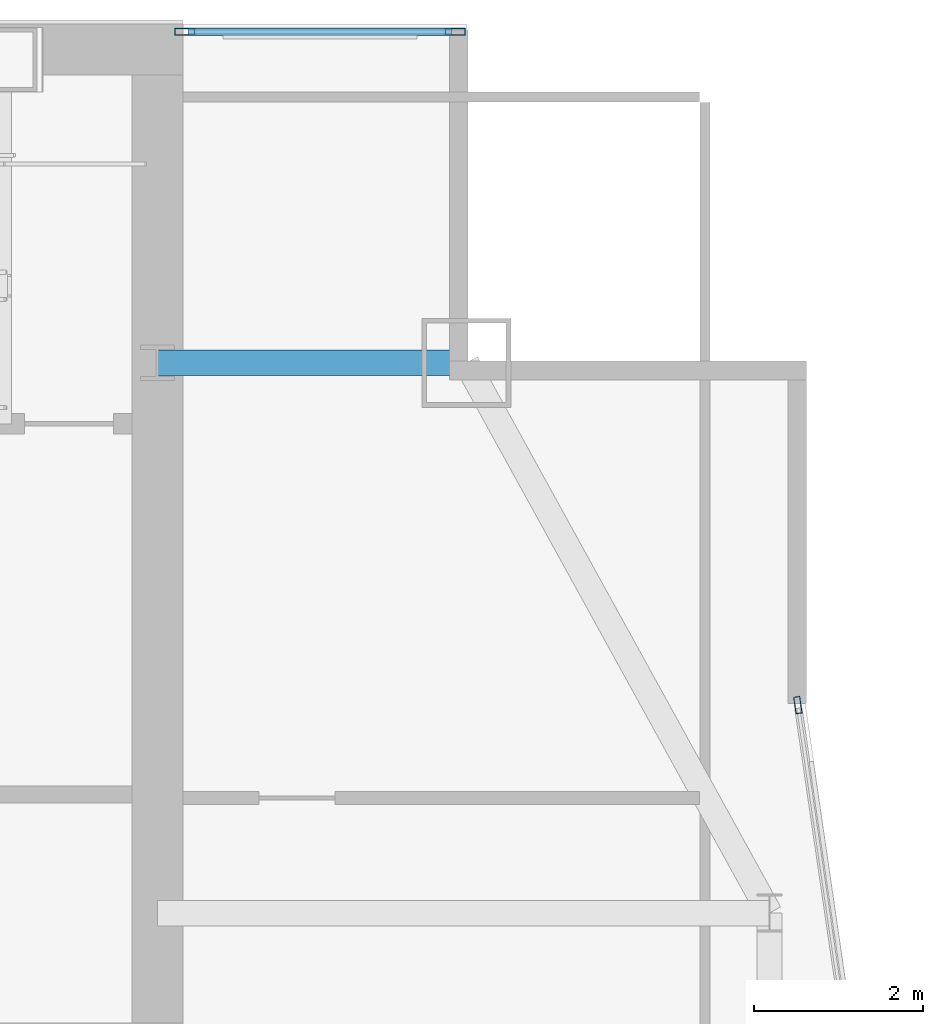
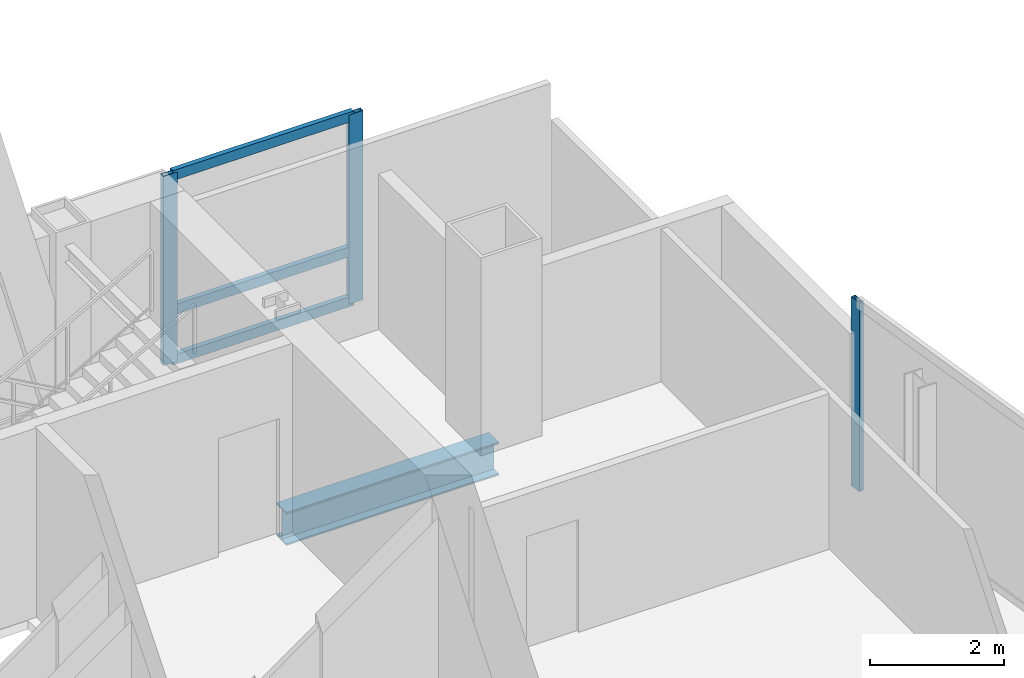
# One storey, part 24 of 31: 6 members, 1 beam, 2 elements without a shape of their own.
"""IFC4 building model written with IfcOpenShell, lengths in metres."""

import ifcopenshell
import ifcopenshell.guid

model = None  # the IFC model being written
_history = None  # IfcOwnerHistory: only IFC2X3 demands one
_inside = {}  # id of a spatial element -> (the spatial element, [elements in it])
_under = {}  # id of a project, library or spatial element -> (it, [spatial elements below it])
_declared = {}  # id of a project -> (the project, [libraries it declares])
_typed = {}  # id of a type object -> (the type object, [elements of that type])
_made_of = {}  # id of a material, layer set ... -> (it, [elements and type objects made of it])


def new_model(schema):
    """Start an empty IFC model of exactly this schema.

    Asked for "IFC4X3", IfcOpenShell would pick the latest addendum, in which some entities
    have other attributes; the version numbers below select the first issue.
    IFC2X3 requires an IfcOwnerHistory on every rooted entity: one is made here for all.
    """
    global model, _history
    if schema == "IFC4X3":
        model = ifcopenshell.file(schema_version=(4, 3, 0, 0))
    else:
        model = ifcopenshell.file(schema=schema)
    _inside.clear()
    _under.clear()
    _declared.clear()
    _typed.clear()
    _made_of.clear()
    _history = None
    if model.schema == "IFC2X3":
        org = make("IfcOrganization", Name="unknown")
        user = make(
            "IfcPersonAndOrganization",
            ThePerson=make("IfcPerson", FamilyName="unknown"),
            TheOrganization=org,
        )
        app = make(
            "IfcApplication",
            ApplicationDeveloper=org,
            Version="unknown",
            ApplicationFullName="unknown",
            ApplicationIdentifier="unknown",
        )
        _history = make(
            "IfcOwnerHistory",
            OwningUser=user,
            OwningApplication=app,
            ChangeAction="ADDED",
            CreationDate=0,
        )
    return model


def make(cls, **values):
    """One entity of the class cls with the attributes given. An attribute that is None is left unset."""
    return model.create_entity(
        cls, **{name: value for name, value in values.items() if value is not None}
    )


def rooted(cls, **values):
    """An entity with a GlobalId (a new one), such as an element, a storey or a relation."""
    return make(cls, GlobalId=ifcopenshell.guid.new(), OwnerHistory=_history, **values)


def si_unit(unit_type, name, prefix=None):
    """IfcSIUnit, for example si_unit("LENGTHUNIT", "METRE", prefix="MILLI")."""
    return make("IfcSIUnit", UnitType=unit_type, Prefix=prefix, Name=name)


def assignment(units):
    """IfcUnitAssignment: the units of a project."""
    return None if units is None else make("IfcUnitAssignment", Units=units)


def point(xyz):
    """IfcCartesianPoint."""
    return None if xyz is None else make("IfcCartesianPoint", Coordinates=xyz)


def direction(xyz):
    """IfcDirection."""
    return None if xyz is None else make("IfcDirection", DirectionRatios=xyz)


def frame(location, z_axis=None, x_axis=None):
    """IfcAxis2Placement3D, a coordinate frame: its origin and axes. An axis left out is left unset."""
    return make(
        "IfcAxis2Placement3D",
        Location=point(location),
        Axis=direction(z_axis),
        RefDirection=direction(x_axis),
    )


def frame_2d(location, x_axis=None):
    """IfcAxis2Placement2D, a coordinate frame in the plane: its origin and x axis."""
    return make(
        "IfcAxis2Placement2D", Location=point(location), RefDirection=direction(x_axis)
    )


def origin():
    """The frame at (0, 0, 0) with its axes left unset."""
    return frame((0.0, 0.0, 0.0))


def origin_2d():
    """The frame at (0, 0) in the plane with its x axis left unset."""
    return frame_2d((0.0, 0.0))


def place(relative_to, where):
    """IfcLocalPlacement: puts the frame where relative to a parent placement (None: the world)."""
    return make(
        "IfcLocalPlacement", PlacementRelTo=relative_to, RelativePlacement=where
    )


def context(
    kind, dimensions, precision=None, world=None, true_north=None, identifier=None
):
    """IfcGeometricRepresentationContext, for example the 3D "Model" context."""
    return make(
        "IfcGeometricRepresentationContext",
        ContextIdentifier=identifier,
        ContextType=kind,
        CoordinateSpaceDimension=dimensions,
        Precision=precision,
        WorldCoordinateSystem=world,
        TrueNorth=true_north,
    )


def subcontext(parent, identifier, kind, view, scale=None):
    """IfcGeometricRepresentationSubContext, for example "Body" below "Model"."""
    return make(
        "IfcGeometricRepresentationSubContext",
        ContextIdentifier=identifier,
        ContextType=kind,
        ParentContext=parent,
        TargetScale=scale,
        TargetView=view,
    )


def project(units=None, contexts=None):
    """IfcProject with its units and contexts."""
    return rooted(
        "IfcProject",
        Name="project",
        RepresentationContexts=contexts,
        UnitsInContext=assignment(units),
    )


def spatial(cls, under=None, at=None, **own):
    """A site, building, storey or space (cls), placed at a placement, below another one or the project."""
    s = rooted(cls, ObjectPlacement=at, **own)
    if under is not None:
        _under.setdefault(under.id(), (under, []))[1].append(s)
    return s


def profile(cls, at=None, kind="AREA", **sizes):
    """A parametric profile (cls). Its sizes go by their IFC names, for example OverallWidth=200.0."""
    return make(cls, ProfileType=kind, Position=at, **sizes)


def hollow_rectangle(**sizes):
    """IfcRectangleHollowProfileDef."""
    return profile("IfcRectangleHollowProfileDef", **sizes)


def i_section(**sizes):
    """IfcIShapeProfileDef."""
    return profile("IfcIShapeProfileDef", **sizes)


def extrude(swept, where, along, depth):
    """IfcExtrudedAreaSolid: the profile swept, set in the frame where, extruded along a direction by depth."""
    return make(
        "IfcExtrudedAreaSolid",
        SweptArea=swept,
        Position=where,
        ExtrudedDirection=direction(along),
        Depth=depth,
    )


def shape(context_of_items, identifier, shape_type, items):
    """IfcShapeRepresentation: the items that make up one representation, for example the "Body"."""
    return make(
        "IfcShapeRepresentation",
        ContextOfItems=context_of_items,
        RepresentationIdentifier=identifier,
        RepresentationType=shape_type,
        Items=items,
    )


def material(Name=None, Category=None):
    """IfcMaterial."""
    return make("IfcMaterial", Name=Name, Category=Category)


def material_profile(
    of_material, cross_section, Name=None, Category=None, Priority=None
):
    """IfcMaterialProfile: a cross section and its material."""
    return make(
        "IfcMaterialProfile",
        Name=Name,
        Material=of_material,
        Profile=cross_section,
        Priority=Priority,
        Category=Category,
    )


def profile_set(profiles, Name=None, composite=None):
    """IfcMaterialProfileSet."""
    return make(
        "IfcMaterialProfileSet",
        Name=Name,
        MaterialProfiles=profiles,
        CompositeProfile=composite,
    )


def made_of(thing, what):
    """Note that an element or type object is made of a material, layer set ...; save() writes the relation."""
    if what is not None:
        _made_of.setdefault(what.id(), (what, []))[1].append(thing)
    return thing


def type_object(cls, material=None, **own):
    """A type object (cls), such as IfcWallType, which elements share."""
    return made_of(rooted(cls, **own), material)


def element(
    cls,
    number,
    at=None,
    inside=None,
    cuts=None,
    type_object=None,
    material=None,
    context=None,
    identifier="Body",
    shape_type=None,
    held_by="IfcProductDefinitionShape",
    body=None,
    shapes=None,
    **own,
):
    """One element of the class cls, such as IfcWall. Its Tag is "e" and its number.

    at: its placement. inside: the storey or other place that contains it. cuts: it is an
    opening in that element (IfcRelVoidsElement). A single representation is given by context,
    identifier, shape_type and body (its items); several are given by shapes. held_by: the class
    of the entity that holds the representations. save() writes the other relations.
    """
    e = rooted(cls, Tag="e%d" % number, ObjectPlacement=at, **own)
    if body is not None:
        shapes = [shape(context, identifier, shape_type, body)]
    if shapes is not None:
        e.Representation = make(held_by, Representations=shapes)
    if inside is not None:
        _inside.setdefault(inside.id(), (inside, []))[1].append(e)
    if cuts is not None:
        rooted(
            "IfcRelVoidsElement", RelatingBuildingElement=cuts, RelatedOpeningElement=e
        )
    if type_object is not None:
        _typed.setdefault(type_object.id(), (type_object, []))[1].append(e)
    return made_of(e, material)


def aggregate(whole, parts):
    """IfcRelAggregates: a whole, such as a stair, and the parts it consists of."""
    return rooted("IfcRelAggregates", RelatingObject=whole, RelatedObjects=parts)


def save(model, path):
    """Write the relations noted so far, then the file.

    IfcRelAggregates (storeys below a building ...), IfcRelContainedInSpatialStructure (elements
    in a storey), IfcRelDefinesByType, IfcRelAssociatesMaterial and IfcRelDeclares: one each for
    every whole, place, type object, material and project.
    """
    for whole, parts in _under.values():
        aggregate(whole, parts)
    for where, things in _inside.values():
        rooted(
            "IfcRelContainedInSpatialStructure",
            RelatedElements=things,
            RelatingStructure=where,
        )
    for kind, things in _typed.values():
        rooted("IfcRelDefinesByType", RelatedObjects=things, RelatingType=kind)
    for what, things in _made_of.values():
        rooted("IfcRelAssociatesMaterial", RelatedObjects=things, RelatingMaterial=what)
    for by, libraries in _declared.values():
        rooted("IfcRelDeclares", RelatingContext=by, RelatedDefinitions=libraries)
    model.write(path)


model = new_model("IFC4")

# Units and contexts
model_context = context("Model", 3, precision=1e-05, world=origin(), true_north=direction((0.0, 1.0)))
body_context = subcontext(model_context, "Body", "Model", "MODEL_VIEW")
ifc_project = project(units=[si_unit("LENGTHUNIT", "METRE"), si_unit("AREAUNIT", "SQUARE_METRE"), si_unit("VOLUMEUNIT", "CUBIC_METRE"), si_unit("PLANEANGLEUNIT", "RADIAN"), si_unit("MASSUNIT", "GRAM", prefix="KILO")], contexts=[model_context])

# Site, building, storey
site_placement = place(None, origin())
site = spatial("IfcSite", under=ifc_project, at=site_placement, CompositionType="ELEMENT")
building_placement = place(site_placement, origin())
building = spatial("IfcBuilding", under=site, at=building_placement, Name="Khoronbel Lancet Exchange", CompositionType="ELEMENT")
storey_placement = place(building_placement, frame((0.0, 0.0, 249.800048828125)))
storey = spatial("IfcBuildingStorey", under=building, at=storey_placement, Name="L64", CompositionType="ELEMENT", Elevation=249.800048828125)

# Beam
ifc_material_1 = material(Name="Steel S355", Category="steel")
ifc_material_profile_1 = material_profile(ifc_material_1, i_section(OverallWidth=0.300048828125, OverallDepth=0.60009765625, WebThickness=0.015380859375, FlangeThickness=0.030029296875, at=origin_2d()), Name="HEB 600")
ifc_profile_set_1 = profile_set([ifc_material_profile_1], Name="Steel S355")
beam_type = type_object("IfcBeamType", Name="BM-BSP2", PredefinedType="SPANDREL", material=ifc_profile_set_1)
beam_placement = place(storey_placement, frame((60.050048828125, 49.699951171875, -0.4599609375), z_axis=(-1.0, 0.0, 0.0), x_axis=(0.0, -1.0, 0.0)))
element("IfcBeam", 1, at=beam_placement, inside=storey, type_object=beam_type, Name="Level L64 north flank tie spandrel SP23", PredefinedType="SPANDREL", context=body_context, shape_type="SweptSolid", body=[
    extrude(i_section(OverallWidth=0.300048828125, OverallDepth=0.60009765625, WebThickness=0.015380859375, FlangeThickness=0.030029296875, at=origin_2d()), origin(), (0.0, 0.0, 1.0), 3.650146484375),
])

# Curtain wall, members
ifc_material_2 = material(Name="Low-E Solar Control Insulating Glass", Category="glass")
curtain_wall_type_1 = type_object("IfcCurtainWallType", Name="CW-3", PredefinedType="NOTDEFINED", material=ifc_material_2)
curtain_wall_1_placement = place(storey_placement, origin())
curtain_wall_1 = element("IfcCurtainWall", 2, at=curtain_wall_1_placement, inside=storey, type_object=curtain_wall_type_1, Name="Unitised curtain wall CW-L64-NEFLK", PredefinedType="NOTDEFINED")
ifc_material_3 = material(Name="Bronze-Anodised Aluminium 6063-T6", Category="aluminium")
ifc_material_profile_2 = material_profile(ifc_material_3, hollow_rectangle(XDim=0.0849609375, YDim=0.239990234375, WallThickness=0.006103515625, at=origin_2d()), Name="ALU MULLION 85x240")
ifc_profile_set_2 = profile_set([ifc_material_profile_2], Name="Bronze-Anodised Aluminium 6063-T6")
member_type_1 = type_object("IfcMemberType", Name="MEM-CWM1", PredefinedType="MULLION", material=ifc_profile_set_2)
member_1_placement = place(storey_placement, frame((59.91748046875, 53.610107421875, 0.0), z_axis=(0.0, 0.0, 1.0), x_axis=(0.0, -1.0, 0.0)))
member_1 = element("IfcMember", 3, at=member_1_placement, type_object=member_type_1, Name="CW3 mullion 1", PredefinedType="MULLION", context=body_context, shape_type="SweptSolid", body=[
    extrude(hollow_rectangle(XDim=0.0849609375, YDim=0.239990234375, WallThickness=0.006103515625, at=origin_2d()), origin(), (0.0, 0.0, 1.0), 3.43994140625),
])
member_2_placement = place(storey_placement, frame((56.722412109375, 53.610107421875, 0.0), z_axis=(0.0, 0.0, 1.0), x_axis=(0.0, -1.0, 0.0)))
member_2 = element("IfcMember", 4, at=member_2_placement, type_object=member_type_1, Name="CW3 mullion 2", PredefinedType="MULLION", context=body_context, shape_type="SweptSolid", body=[
    extrude(hollow_rectangle(XDim=0.0849609375, YDim=0.239990234375, WallThickness=0.006103515625, at=origin_2d()), origin(), (0.0, 0.0, 1.0), 3.43994140625),
])

# Curtain wall, member
curtain_wall_type_2 = type_object("IfcCurtainWallType", Name="CW-4", PredefinedType="NOTDEFINED", material=ifc_material_2)
curtain_wall_2_placement = place(storey_placement, origin())
curtain_wall_2 = element("IfcCurtainWall", 5, at=curtain_wall_2_placement, inside=storey, type_object=curtain_wall_type_2, Name="Unitised curtain wall CW-L64-E17", PredefinedType="NOTDEFINED")
ifc_material_profile_3 = material_profile(ifc_material_3, hollow_rectangle(XDim=0.074951171875, YDim=0.199951171875, WallThickness=0.0048828125, at=origin_2d()), Name="ALU MULLION 75x200")
ifc_profile_set_3 = profile_set([ifc_material_profile_3], Name="Bronze-Anodised Aluminium 6063-T6")
member_type_2 = type_object("IfcMemberType", Name="MEM-CWM2", PredefinedType="MULLION", material=ifc_profile_set_3)
member_3_placement = place(storey_placement, frame((63.96533203125, 45.656494140625, 0.0), z_axis=(0.0, 0.0, 1.0), x_axis=(0.989467753264, 0.144753463694, 0.0)))
member_3 = element("IfcMember", 6, at=member_3_placement, type_object=member_type_2, Name="CW4 mullion 1", PredefinedType="MULLION", context=body_context, shape_type="SweptSolid", body=[
    extrude(hollow_rectangle(XDim=0.074951171875, YDim=0.199951171875, WallThickness=0.0048828125, at=origin_2d()), origin(), (0.0, 0.0, 1.0), 3.43994140625),
])
aggregate(curtain_wall_2, [member_3])

# Member
ifc_material_profile_4 = material_profile(ifc_material_3, hollow_rectangle(XDim=0.0849609375, YDim=0.179931640625, WallThickness=0.0048828125, at=origin_2d()), Name="ALU TRANSOM 85x180")
ifc_profile_set_4 = profile_set([ifc_material_profile_4], Name="Bronze-Anodised Aluminium 6063-T6")
member_type_3 = type_object("IfcMemberType", Name="MEM-CWT1", PredefinedType="USERDEFINED", material=ifc_profile_set_4)
member_4_placement = place(storey_placement, frame((59.875, 53.610107421875, 0.04248046875), z_axis=(-1.0, 0.0, 0.0), x_axis=(0.0, -1.0, 0.0)))
member_4 = element("IfcMember", 7, at=member_4_placement, type_object=member_type_3, Name="CW3 transom 1.1", ObjectType="TRANSOM", PredefinedType="USERDEFINED", context=body_context, shape_type="SweptSolid", body=[
    extrude(hollow_rectangle(XDim=0.0849609375, YDim=0.179931640625, WallThickness=0.0048828125, at=origin_2d()), origin(), (0.0, 0.0, 1.0), 3.110107421875),
])

member_5_placement = place(storey_placement, frame((59.875, 53.610107421875, 0.949951171875), z_axis=(-1.0, 0.0, 0.0), x_axis=(0.0, -1.0, 0.0)))
member_5 = element("IfcMember", 8, at=member_5_placement, type_object=member_type_3, Name="CW3 transom 1.2", ObjectType="TRANSOM", PredefinedType="USERDEFINED", context=body_context, shape_type="SweptSolid", body=[
    extrude(hollow_rectangle(XDim=0.0849609375, YDim=0.179931640625, WallThickness=0.0048828125, at=origin_2d()), origin(), (0.0, 0.0, 1.0), 3.110107421875),
])

member_6_placement = place(storey_placement, frame((59.875, 53.610107421875, 3.3974609375), z_axis=(-1.0, 0.0, 0.0), x_axis=(0.0, -1.0, 0.0)))
member_6 = element("IfcMember", 9, at=member_6_placement, type_object=member_type_3, Name="CW3 transom 1.3", ObjectType="TRANSOM", PredefinedType="USERDEFINED", context=body_context, shape_type="SweptSolid", body=[
    extrude(hollow_rectangle(XDim=0.0849609375, YDim=0.179931640625, WallThickness=0.0048828125, at=origin_2d()), origin(), (0.0, 0.0, 1.0), 3.110107421875),
])

aggregate(curtain_wall_1, [member_1, member_2, member_4, member_5, member_6])

save(model, "model.ifc")
